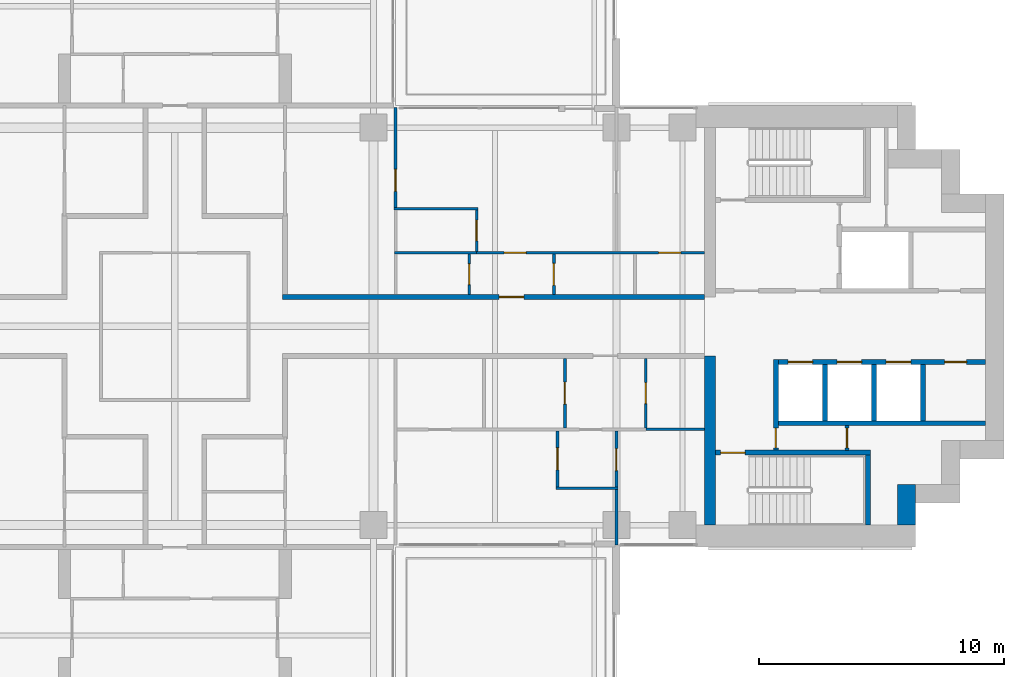
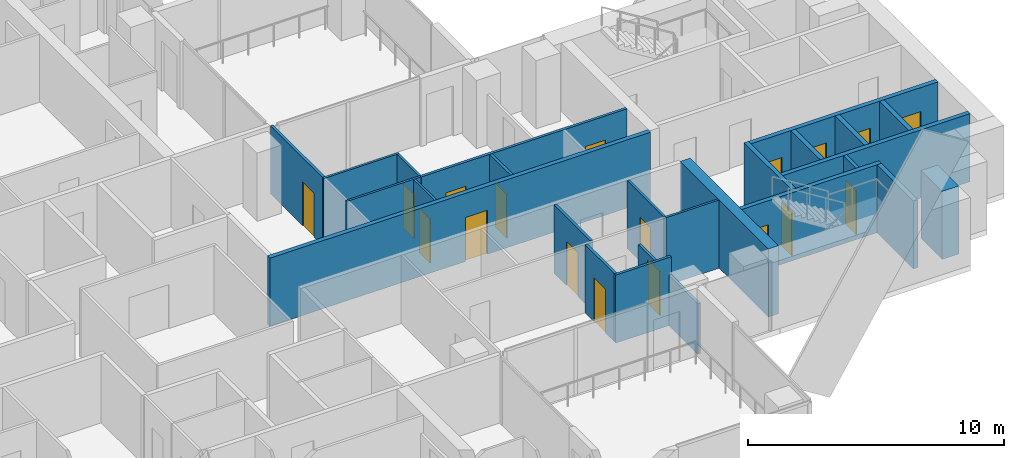
# One storey, part 12 of 19: 25 walls, 18 doors, 18 openings.
"""IFC4 building model written with IfcOpenShell, lengths in metres."""

from ifc_helpers import new_model, si_unit, direction, frame, frame_2d, origin, place, context, subcontext, project, spatial, rectangle, extrude, material, layer, layer_set, type_object, element, fill, save


model = new_model("IFC4")

# Units and contexts
model_context = context("Model", 3, precision=1e-05, world=origin(), true_north=direction((0.0, 1.0)))
body_context = subcontext(model_context, "Body", "Model", "MODEL_VIEW")
ifc_project = project(units=[si_unit("LENGTHUNIT", "METRE"), si_unit("AREAUNIT", "SQUARE_METRE"), si_unit("VOLUMEUNIT", "CUBIC_METRE"), si_unit("PLANEANGLEUNIT", "RADIAN"), si_unit("MASSUNIT", "GRAM", prefix="KILO")], contexts=[model_context])

# Site, building, storey
site_placement = place(None, origin())
site = spatial("IfcSite", under=ifc_project, at=site_placement, CompositionType="ELEMENT")
building_placement = place(site_placement, origin())
building = spatial("IfcBuilding", under=site, at=building_placement, Name="Perihelion Cross Residences", CompositionType="ELEMENT")
storey_placement = place(building_placement, frame((0.0, 0.0, 147.89990234375)))
storey = spatial("IfcBuildingStorey", under=building, at=storey_placement, Name="L36", CompositionType="ELEMENT", Elevation=147.89990234375)

# Wall, opening, door
ifc_material_1 = material(Name="Plasterboard partition")
ifc_layer_1 = layer(ifc_material_1, 0.199951171875)
ifc_layer_set_1 = layer_set([ifc_layer_1], Name="Apartment separation wall 200")
wall_type_1 = type_object("IfcWallType", Name="Apartment separation wall 200", PredefinedType="PARTITIONING", material=ifc_layer_set_1)
wall_1_placement = place(storey_placement, frame((4.39990234375, 1.199951171875, 0.0), z_axis=(0.0, 0.0, 1.0), x_axis=(1.0, 0.0, 0.0)))
wall_1 = element("IfcWall", 1, at=wall_1_placement, inside=storey, type_object=wall_type_1, Name="Partition L36 W005", PredefinedType="PARTITIONING", context=body_context, shape_type="SweptSolid", body=[
    extrude(rectangle(XDim=17.2001953125, YDim=0.199951171875, at=frame_2d((8.60009765625, 0.0))), origin(), (0.0, 0.0, 1.0), 3.25),
])
opening_1_placement = place(wall_1_placement, frame((8.824951171875, 0.0, 0.0)))
opening_1 = element("IfcOpeningElement", 2, at=opening_1_placement, cuts=wall_1, Name="Opening L36.A50", PredefinedType="OPENING", context=body_context, shape_type="SweptSolid", body=[
    extrude(rectangle(XDim=1.0, YDim=2.10009765625, at=frame_2d((0.5, 1.050048828125))), frame((0.0, 0.10986328125, 0.0), z_axis=(0.0, -1.0, 0.0), x_axis=(1.0, 0.0, 0.0)), (0.0, 0.0, 1.0), 0.219970703125),
])
ifc_material_2 = material(Name="Timber door leaf", Category="wood")
door_type_1 = type_object("IfcDoorType", Name="Flat entrance door 1000 x 2100", OperationType="SINGLE_SWING_LEFT", PredefinedType="DOOR", material=ifc_material_2)
door_1_placement = place(opening_1_placement, origin())
door_1 = element("IfcDoor", 3, at=door_1_placement, inside=storey, type_object=door_type_1, Name="Door L36.A50", OperationType="SINGLE_SWING_LEFT", OverallHeight=2.10009765625, OverallWidth=1.0, PredefinedType="DOOR", context=body_context, shape_type="SweptSolid", body=[
    extrude(rectangle(XDim=1.0, YDim=2.10009765625, at=frame_2d((0.5, 1.050048828125))), frame((0.0, 0.02490234375, 0.0), z_axis=(0.0, -1.0, 0.0), x_axis=(1.0, 0.0, 0.0)), (0.0, 0.0, 1.0), 0.050048828125),
])
fill(opening_1, door_1)

# Walls
ifc_material_3 = material(Name="Concrete C60/75", Category="concrete")
ifc_layer_2 = layer(ifc_material_3, 0.449951171875)
ifc_layer_set_2 = layer_set([ifc_layer_2], Name="Core wall, inner 450")
wall_type_2 = type_object("IfcWallType", Name="Core wall, inner 450", PredefinedType="SHEAR", material=ifc_layer_set_2)
wall_2_placement = place(storey_placement, frame((21.824951171875, -8.10009765625, 0.0), z_axis=(0.0, 0.0, 1.0), x_axis=(0.0, 1.0, 0.0)))
element("IfcWall", 4, at=wall_2_placement, inside=storey, type_object=wall_type_2, Name="East core core wall, inner", PredefinedType="SHEAR", context=body_context, shape_type="SweptSolid", body=[
    extrude(rectangle(XDim=6.900146484375, YDim=0.449951171875, at=frame_2d((3.4501953125, 0.0))), origin(), (0.0, 0.0, 1.0), 3.25),
])
ifc_material_4 = material(Name="Concrete C60/75", Category="concrete")
ifc_layer_3 = layer(ifc_material_4, 0.75)
ifc_layer_set_3 = layer_set([ifc_layer_3], Name="Core wall, outer 750")
wall_type_3 = type_object("IfcWallType", Name="Core wall, outer 750", PredefinedType="SHEAR", material=ifc_layer_set_3)
wall_3_placement = place(storey_placement, frame((29.824951171875, -8.10009765625, 0.0), z_axis=(0.0, 0.0, 1.0), x_axis=(0.0, 1.0, 0.0)))
element("IfcWall", 5, at=wall_3_placement, inside=storey, type_object=wall_type_3, Name="East core core wall, outer", PredefinedType="SHEAR", context=body_context, shape_type="SweptSolid", body=[
    extrude(rectangle(XDim=1.650146484375, YDim=0.75, at=frame_2d((0.8251953125, 0.0))), origin(), (0.0, 0.0, 1.0), 3.25),
])

# Wall, opening, door
ifc_material_5 = material(Name="Concrete C50/60", Category="concrete")
ifc_layer_4 = layer(ifc_material_5, 0.199951171875)
ifc_layer_set_4 = layer_set([ifc_layer_4], Name="Lobby wall 200")
wall_type_4 = type_object("IfcWallType", Name="Lobby wall 200", PredefinedType="SOLIDWALL", material=ifc_layer_set_4)
wall_4_placement = place(storey_placement, frame((24.5, -5.050048828125, 0.0), z_axis=(0.0, 0.0, 1.0), x_axis=(0.0, 1.0, 0.0)))
wall_4 = element("IfcWall", 6, at=wall_4_placement, inside=storey, type_object=wall_type_4, Name="East core lobby wall", PredefinedType="SOLIDWALL", context=body_context, shape_type="SweptSolid", body=[
    extrude(rectangle(XDim=3.699951171875, YDim=0.199951171875, at=frame_2d((1.85009765625, 0.0))), origin(), (0.0, 0.0, 1.0), 3.25),
])
opening_2_placement = place(wall_4_placement, frame((0.10009765625, 0.0, 0.0)))
opening_2 = element("IfcOpeningElement", 7, at=opening_2_placement, cuts=wall_4, Name="Opening L36.C08", PredefinedType="OPENING", context=body_context, shape_type="SweptSolid", body=[
    extrude(rectangle(XDim=0.800048828125, YDim=2.10009765625, at=frame_2d((0.39990234375, 1.050048828125))), frame((0.0, 0.10986328125, 0.0), z_axis=(0.0, -1.0, 0.0), x_axis=(1.0, 0.0, 0.0)), (0.0, 0.0, 1.0), 0.219970703125),
])
ifc_material_6 = material(Name="Steel, powder coated", Category="steel")
door_type_2 = type_object("IfcDoorType", Name="Riser door 800", OperationType="SINGLE_SWING_LEFT", PredefinedType="DOOR", material=ifc_material_6)
door_2_placement = place(opening_2_placement, origin())
door_2 = element("IfcDoor", 8, at=door_2_placement, inside=storey, type_object=door_type_2, Name="East core riser door", OperationType="SINGLE_SWING_LEFT", OverallHeight=2.10009765625, OverallWidth=0.800048828125, PredefinedType="DOOR", context=body_context, shape_type="SweptSolid", body=[
    extrude(rectangle(XDim=0.800048828125, YDim=2.10009765625, at=frame_2d((0.39990234375, 1.050048828125))), frame((0.0, 0.02490234375, 0.0), z_axis=(0.0, -1.0, 0.0), x_axis=(1.0, 0.0, 0.0)), (0.0, 0.0, 1.0), 0.050048828125),
])
fill(opening_2, door_2)

ifc_material_7 = material(Name="Plasterboard partition")
ifc_layer_5 = layer(ifc_material_7, 0.1201171875)
ifc_layer_set_5 = layer_set([ifc_layer_5], Name="Partition wall 120")
wall_type_5 = type_object("IfcWallType", Name="Partition wall 120", PredefinedType="PARTITIONING", material=ifc_layer_set_5)
wall_5_placement = place(storey_placement, frame((15.449951171875, 2.93994140625, 0.0), z_axis=(0.0, 0.0, 1.0), x_axis=(0.0, -1.0, 0.0)))
wall_5 = element("IfcWall", 9, at=wall_5_placement, inside=storey, type_object=wall_type_5, Name="Partition L36 W026", PredefinedType="PARTITIONING", context=body_context, shape_type="SweptSolid", body=[
    extrude(rectangle(XDim=1.639892578125, YDim=0.1201171875, at=frame_2d((0.81982421875, 0.0))), origin(), (0.0, 0.0, 1.0), 3.25),
])
opening_3_placement = place(wall_5_placement, frame((0.3701171875, 0.0, 0.0)))
opening_3 = element("IfcOpeningElement", 10, at=opening_3_placement, cuts=wall_5, Name="Opening L36.A05", PredefinedType="OPENING", context=body_context, shape_type="SweptSolid", body=[
    extrude(rectangle(XDim=0.89990234375, YDim=2.10009765625, at=frame_2d((0.449951171875, 1.050048828125))), frame((0.0, 0.070068359375, 0.0), z_axis=(0.0, -1.0, 0.0), x_axis=(1.0, 0.0, 0.0)), (0.0, 0.0, 1.0), 0.14013671875),
])
ifc_material_8 = material(Name="Timber door leaf", Category="wood")
door_type_3 = type_object("IfcDoorType", Name="Interior room door 900 x 2100", OperationType="SINGLE_SWING_LEFT", PredefinedType="DOOR", material=ifc_material_8)
door_3_placement = place(opening_3_placement, origin())
door_3 = element("IfcDoor", 11, at=door_3_placement, inside=storey, type_object=door_type_3, Name="Door L36.A05", OperationType="SINGLE_SWING_LEFT", OverallHeight=2.10009765625, OverallWidth=0.89990234375, PredefinedType="DOOR", context=body_context, shape_type="SweptSolid", body=[
    extrude(rectangle(XDim=0.89990234375, YDim=2.10009765625, at=frame_2d((0.449951171875, 1.050048828125))), frame((0.0, 0.02490234375, 0.0), z_axis=(0.0, -1.0, 0.0), x_axis=(1.0, 0.0, 0.0)), (0.0, 0.0, 1.0), 0.050048828125),
])
fill(opening_3, door_3)

# Wall, openings, doors
wall_6_placement = place(storey_placement, frame((12.300048828125, 3.0, 0.0), z_axis=(0.0, 0.0, 1.0), x_axis=(1.0, 0.0, 0.0)))
wall_6 = element("IfcWall", 12, at=wall_6_placement, inside=storey, type_object=wall_type_5, Name="Partition L36 W027", PredefinedType="PARTITIONING", context=body_context, shape_type="SweptSolid", body=[
    extrude(rectangle(XDim=9.300048828125, YDim=0.1201171875, at=frame_2d((4.64990234375, 0.0))), origin(), (0.0, 0.0, 1.0), 3.25),
])
opening_4_placement = place(wall_6_placement, frame((1.125, 0.0, 0.0)))
opening_4 = element("IfcOpeningElement", 13, at=opening_4_placement, cuts=wall_6, Name="Opening L36.A06", PredefinedType="OPENING", context=body_context, shape_type="SweptSolid", body=[
    extrude(rectangle(XDim=0.89990234375, YDim=2.10009765625, at=frame_2d((0.449951171875, 1.050048828125))), frame((0.0, 0.070068359375, 0.0), z_axis=(0.0, -1.0, 0.0), x_axis=(1.0, 0.0, 0.0)), (0.0, 0.0, 1.0), 0.14013671875),
])
opening_5_placement = place(wall_6_placement, frame((7.425048828125, 0.0, 0.0)))
opening_5 = element("IfcOpeningElement", 14, at=opening_5_placement, cuts=wall_6, Name="Opening L36.A09", PredefinedType="OPENING", context=body_context, shape_type="SweptSolid", body=[
    extrude(rectangle(XDim=0.89990234375, YDim=2.10009765625, at=frame_2d((0.449951171875, 1.050048828125))), frame((0.0, 0.070068359375, 0.0), z_axis=(0.0, -1.0, 0.0), x_axis=(1.0, 0.0, 0.0)), (0.0, 0.0, 1.0), 0.14013671875),
])
door_4_placement = place(opening_4_placement, origin())
door_4 = element("IfcDoor", 15, at=door_4_placement, inside=storey, type_object=door_type_3, Name="Door L36.A06", OperationType="SINGLE_SWING_RIGHT", OverallHeight=2.10009765625, OverallWidth=0.89990234375, PredefinedType="DOOR", context=body_context, shape_type="SweptSolid", body=[
    extrude(rectangle(XDim=0.89990234375, YDim=2.10009765625, at=frame_2d((0.449951171875, 1.050048828125))), frame((0.0, 0.02490234375, 0.0), z_axis=(0.0, -1.0, 0.0), x_axis=(1.0, 0.0, 0.0)), (0.0, 0.0, 1.0), 0.050048828125),
])
fill(opening_4, door_4)
door_5_placement = place(opening_5_placement, origin())
door_5 = element("IfcDoor", 16, at=door_5_placement, inside=storey, type_object=door_type_3, Name="Door L36.A09", OperationType="SINGLE_SWING_LEFT", OverallHeight=2.10009765625, OverallWidth=0.89990234375, PredefinedType="DOOR", context=body_context, shape_type="SweptSolid", body=[
    extrude(rectangle(XDim=0.89990234375, YDim=2.10009765625, at=frame_2d((0.449951171875, 1.050048828125))), frame((0.0, 0.02490234375, 0.0), z_axis=(0.0, -1.0, 0.0), x_axis=(1.0, 0.0, 0.0)), (0.0, 0.0, 1.0), 0.050048828125),
])
fill(opening_5, door_5)

# Wall, opening, door
wall_7_placement = place(storey_placement, frame((9.0, 4.800048828125, 0.0), z_axis=(0.0, 0.0, 1.0), x_axis=(0.0, 1.0, 0.0)))
wall_7 = element("IfcWall", 17, at=wall_7_placement, inside=storey, type_object=wall_type_5, Name="Partition L36 W032", PredefinedType="PARTITIONING", context=body_context, shape_type="SweptSolid", body=[
    extrude(rectangle(XDim=4.119873046875, YDim=0.1201171875, at=frame_2d((2.06005859375, 0.0))), origin(), (0.0, 0.0, 1.0), 3.25),
])
opening_6_placement = place(wall_7_placement, frame((0.699951171875, 0.0, 0.0)))
opening_6 = element("IfcOpeningElement", 18, at=opening_6_placement, cuts=wall_7, Name="Opening L36.A08", PredefinedType="OPENING", context=body_context, shape_type="SweptSolid", body=[
    extrude(rectangle(XDim=0.89990234375, YDim=2.10009765625, at=frame_2d((0.449951171875, 1.050048828125))), frame((0.0, 0.070068359375, 0.0), z_axis=(0.0, -1.0, 0.0), x_axis=(1.0, 0.0, 0.0)), (0.0, 0.0, 1.0), 0.14013671875),
])
door_6_placement = place(opening_6_placement, origin())
door_6 = element("IfcDoor", 19, at=door_6_placement, inside=storey, type_object=door_type_3, Name="Door L36.A08", OperationType="SINGLE_SWING_LEFT", OverallHeight=2.10009765625, OverallWidth=0.89990234375, PredefinedType="DOOR", context=body_context, shape_type="SweptSolid", body=[
    extrude(rectangle(XDim=0.89990234375, YDim=2.10009765625, at=frame_2d((0.449951171875, 1.050048828125))), frame((0.0, 0.02490234375, 0.0), z_axis=(0.0, -1.0, 0.0), x_axis=(1.0, 0.0, 0.0)), (0.0, 0.0, 1.0), 0.050048828125),
])
fill(opening_6, door_6)

wall_8_placement = place(storey_placement, frame((15.89990234375, -1.300048828125, 0.0), z_axis=(0.0, 0.0, 1.0), x_axis=(0.0, -1.0, 0.0)))
wall_8 = element("IfcWall", 20, at=wall_8_placement, inside=storey, type_object=wall_type_5, Name="Partition L36 W037", PredefinedType="PARTITIONING", context=body_context, shape_type="SweptSolid", body=[
    extrude(rectangle(XDim=2.83984375, YDim=0.1201171875, at=frame_2d((1.419921875, 0.0))), origin(), (0.0, 0.0, 1.0), 3.25),
])
opening_7_placement = place(wall_8_placement, frame((0.969970703125, 0.0, 0.0)))
opening_7 = element("IfcOpeningElement", 21, at=opening_7_placement, cuts=wall_8, Name="Opening L36.A13", PredefinedType="OPENING", context=body_context, shape_type="SweptSolid", body=[
    extrude(rectangle(XDim=0.89990234375, YDim=2.10009765625, at=frame_2d((0.449951171875, 1.050048828125))), frame((0.0, 0.070068359375, 0.0), z_axis=(0.0, -1.0, 0.0), x_axis=(1.0, 0.0, 0.0)), (0.0, 0.0, 1.0), 0.14013671875),
])
door_7_placement = place(opening_7_placement, origin())
door_7 = element("IfcDoor", 22, at=door_7_placement, inside=storey, type_object=door_type_3, Name="Door L36.A13", OperationType="SINGLE_SWING_RIGHT", OverallHeight=2.10009765625, OverallWidth=0.89990234375, PredefinedType="DOOR", context=body_context, shape_type="SweptSolid", body=[
    extrude(rectangle(XDim=0.89990234375, YDim=2.10009765625, at=frame_2d((0.449951171875, 1.050048828125))), frame((0.0, 0.02490234375, 0.0), z_axis=(0.0, -1.0, 0.0), x_axis=(1.0, 0.0, 0.0)), (0.0, 0.0, 1.0), 0.050048828125),
])
fill(opening_7, door_7)

wall_9_placement = place(storey_placement, frame((15.60009765625, -4.260009765625, 0.0), z_axis=(0.0, 0.0, 1.0), x_axis=(0.0, -1.0, 0.0)))
wall_9 = element("IfcWall", 23, at=wall_9_placement, inside=storey, type_object=wall_type_5, Name="Partition L36 W040", PredefinedType="PARTITIONING", context=body_context, shape_type="SweptSolid", body=[
    extrude(rectangle(XDim=2.280029296875, YDim=0.1201171875, at=frame_2d((1.14013671875, 0.0))), origin(), (0.0, 0.0, 1.0), 3.25),
])
opening_8_placement = place(wall_9_placement, frame((0.68994140625, 0.0, 0.0)))
opening_8 = element("IfcOpeningElement", 24, at=opening_8_placement, cuts=wall_9, Name="Opening L36.A15", PredefinedType="OPENING", context=body_context, shape_type="SweptSolid", body=[
    extrude(rectangle(XDim=0.89990234375, YDim=2.10009765625, at=frame_2d((0.449951171875, 1.050048828125))), frame((0.0, 0.070068359375, 0.0), z_axis=(0.0, -1.0, 0.0), x_axis=(1.0, 0.0, 0.0)), (0.0, 0.0, 1.0), 0.14013671875),
])
door_8_placement = place(opening_8_placement, origin())
door_8 = element("IfcDoor", 25, at=door_8_placement, inside=storey, type_object=door_type_3, Name="Door L36.A15", OperationType="SINGLE_SWING_LEFT", OverallHeight=2.10009765625, OverallWidth=0.89990234375, PredefinedType="DOOR", context=body_context, shape_type="SweptSolid", body=[
    extrude(rectangle(XDim=0.89990234375, YDim=2.10009765625, at=frame_2d((0.449951171875, 1.050048828125))), frame((0.0, 0.02490234375, 0.0), z_axis=(0.0, -1.0, 0.0), x_axis=(1.0, 0.0, 0.0)), (0.0, 0.0, 1.0), 0.050048828125),
])
fill(opening_8, door_8)

# Wall
wall_10_placement = place(storey_placement, frame((15.5400390625, -6.60009765625, 0.0), z_axis=(0.0, 0.0, 1.0), x_axis=(1.0, 0.0, 0.0)))
element("IfcWall", 26, at=wall_10_placement, inside=storey, type_object=wall_type_5, Name="Partition L36 W041", PredefinedType="PARTITIONING", context=body_context, shape_type="SweptSolid", body=[
    extrude(rectangle(XDim=2.52001953125, YDim=0.1201171875, at=frame_2d((1.260009765625, 0.0))), origin(), (0.0, 0.0, 1.0), 3.25),
])

# Wall, opening, door
wall_11_placement = place(storey_placement, frame((18.0, -4.260009765625, 0.0), z_axis=(0.0, 0.0, 1.0), x_axis=(0.0, -1.0, 0.0)))
wall_11 = element("IfcWall", 27, at=wall_11_placement, inside=storey, type_object=wall_type_5, Name="Partition L36 W042", PredefinedType="PARTITIONING", context=body_context, shape_type="SweptSolid", body=[
    extrude(rectangle(XDim=4.659912109375, YDim=0.1201171875, at=frame_2d((2.330078125, 0.0))), origin(), (0.0, 0.0, 1.0), 2.4140625),
])
opening_9_placement = place(wall_11_placement, frame((0.719970703125, 0.0, 0.0)))
opening_9 = element("IfcOpeningElement", 28, at=opening_9_placement, cuts=wall_11, Name="Opening L36.A16", PredefinedType="OPENING", context=body_context, shape_type="SweptSolid", body=[
    extrude(rectangle(XDim=0.89990234375, YDim=2.10009765625, at=frame_2d((0.449951171875, 1.050048828125))), frame((0.0, 0.070068359375, 0.0), z_axis=(0.0, -1.0, 0.0), x_axis=(1.0, 0.0, 0.0)), (0.0, 0.0, 1.0), 0.14013671875),
])
door_9_placement = place(opening_9_placement, origin())
door_9 = element("IfcDoor", 29, at=door_9_placement, inside=storey, type_object=door_type_3, Name="Door L36.A16", OperationType="SINGLE_SWING_LEFT", OverallHeight=2.10009765625, OverallWidth=0.89990234375, PredefinedType="DOOR", context=body_context, shape_type="SweptSolid", body=[
    extrude(rectangle(XDim=0.89990234375, YDim=2.10009765625, at=frame_2d((0.449951171875, 1.050048828125))), frame((0.0, 0.02490234375, 0.0), z_axis=(0.0, -1.0, 0.0), x_axis=(1.0, 0.0, 0.0)), (0.0, 0.0, 1.0), 0.050048828125),
])
fill(opening_9, door_9)

ifc_material_9 = material(Name="Fire-rated board on steel stud", Category="steel")
ifc_layer_6 = layer(ifc_material_9, 0.14990234375)
ifc_layer_set_6 = layer_set([ifc_layer_6], Name="Riser wall 150")
wall_type_6 = type_object("IfcWallType", Name="Riser wall 150", PredefinedType="PARTITIONING", material=ifc_layer_set_6)
wall_12_placement = place(storey_placement, frame((27.39990234375, -5.050048828125, 0.0), z_axis=(0.0, 0.0, 1.0), x_axis=(0.0, 1.0, 0.0)))
wall_12 = element("IfcWall", 30, at=wall_12_placement, inside=storey, type_object=wall_type_6, Name="East core riser wall", PredefinedType="PARTITIONING", context=body_context, shape_type="SweptSolid", body=[
    extrude(rectangle(XDim=1.0, YDim=0.14990234375, at=frame_2d((0.5, 0.0))), origin(), (0.0, 0.0, 1.0), 3.25),
])
opening_10_placement = place(wall_12_placement, frame((0.10009765625, 0.0, 0.0)))
opening_10 = element("IfcOpeningElement", 31, at=opening_10_placement, cuts=wall_12, Name="Opening L36.C11", PredefinedType="OPENING", context=body_context, shape_type="SweptSolid", body=[
    extrude(rectangle(XDim=0.800048828125, YDim=2.10009765625, at=frame_2d((0.39990234375, 1.050048828125))), frame((0.0, 0.0849609375, 0.0), z_axis=(0.0, -1.0, 0.0), x_axis=(1.0, 0.0, 0.0)), (0.0, 0.0, 1.0), 0.169921875),
])
door_10_placement = place(opening_10_placement, origin())
door_10 = element("IfcDoor", 32, at=door_10_placement, inside=storey, type_object=door_type_2, Name="East core riser door", OperationType="SINGLE_SWING_LEFT", OverallHeight=2.10009765625, OverallWidth=0.800048828125, PredefinedType="DOOR", context=body_context, shape_type="SweptSolid", body=[
    extrude(rectangle(XDim=0.800048828125, YDim=2.10009765625, at=frame_2d((0.39990234375, 1.050048828125))), frame((0.0, 0.02490234375, 0.0), z_axis=(0.0, -1.0, 0.0), x_axis=(1.0, 0.0, 0.0)), (0.0, 0.0, 1.0), 0.050048828125),
])
fill(opening_10, door_10)

# Wall, openings, doors
ifc_material_10 = material(Name="Concrete C50/60", Category="concrete")
ifc_layer_7 = layer(ifc_material_10, 0.199951171875)
ifc_layer_set_7 = layer_set([ifc_layer_7], Name="Shaft wall 200")
wall_type_7 = type_object("IfcWallType", Name="Shaft wall 200", PredefinedType="SOLIDWALL", material=ifc_layer_set_7)
wall_13_placement = place(storey_placement, frame((24.60009765625, -1.449951171875, 0.0), z_axis=(0.0, 0.0, 1.0), x_axis=(1.0, 0.0, 0.0)))
wall_13 = element("IfcWall", 33, at=wall_13_placement, inside=storey, type_object=wall_type_7, Name="East core shaft wall", PredefinedType="SOLIDWALL", context=body_context, shape_type="SweptSolid", body=[
    extrude(rectangle(XDim=8.449951171875, YDim=0.199951171875, at=frame_2d((4.22509765625, 0.0))), origin(), (0.0, 0.0, 1.0), 3.25),
])
opening_11_placement = place(wall_13_placement, frame((0.39990234375, 0.0, 0.0)))
opening_11 = element("IfcOpeningElement", 34, at=opening_11_placement, cuts=wall_13, Name="Opening L36.C01", PredefinedType="OPENING", context=body_context, shape_type="SweptSolid", body=[
    extrude(rectangle(XDim=1.0, YDim=2.10009765625, at=frame_2d((0.5, 1.050048828125))), frame((0.0, 0.10986328125, 0.0), z_axis=(0.0, -1.0, 0.0), x_axis=(1.0, 0.0, 0.0)), (0.0, 0.0, 1.0), 0.219970703125),
])
opening_12_placement = place(wall_13_placement, frame((2.39990234375, 0.0, 0.0)))
opening_12 = element("IfcOpeningElement", 35, at=opening_12_placement, cuts=wall_13, Name="Opening L36.C03", PredefinedType="OPENING", context=body_context, shape_type="SweptSolid", body=[
    extrude(rectangle(XDim=1.0, YDim=2.10009765625, at=frame_2d((0.5, 1.050048828125))), frame((0.0, 0.10986328125, 0.0), z_axis=(0.0, -1.0, 0.0), x_axis=(1.0, 0.0, 0.0)), (0.0, 0.0, 1.0), 0.219970703125),
])
opening_13_placement = place(wall_13_placement, frame((4.39990234375, 0.0, 0.0)))
opening_13 = element("IfcOpeningElement", 36, at=opening_13_placement, cuts=wall_13, Name="Opening L36.C04", PredefinedType="OPENING", context=body_context, shape_type="SweptSolid", body=[
    extrude(rectangle(XDim=1.0, YDim=2.10009765625, at=frame_2d((0.5, 1.050048828125))), frame((0.0, 0.10986328125, 0.0), z_axis=(0.0, -1.0, 0.0), x_axis=(1.0, 0.0, 0.0)), (0.0, 0.0, 1.0), 0.219970703125),
])
opening_14_placement = place(wall_13_placement, frame((6.77490234375, 0.0, 0.0)))
opening_14 = element("IfcOpeningElement", 37, at=opening_14_placement, cuts=wall_13, Name="Opening L36.C14", PredefinedType="OPENING", context=body_context, shape_type="SweptSolid", body=[
    extrude(rectangle(XDim=0.89990234375, YDim=2.10009765625, at=frame_2d((0.449951171875, 1.050048828125))), frame((0.0, 0.10986328125, 0.0), z_axis=(0.0, -1.0, 0.0), x_axis=(1.0, 0.0, 0.0)), (0.0, 0.0, 1.0), 0.219970703125),
])
ifc_material_11 = material(Name="Stainless steel", Category="steel")
door_type_4 = type_object("IfcDoorType", Name="Landing door 1000", OperationType="DOUBLE_DOOR_SLIDING", PredefinedType="DOOR", material=ifc_material_11)
door_11_placement = place(opening_11_placement, origin())
door_11 = element("IfcDoor", 38, at=door_11_placement, inside=storey, type_object=door_type_4, Name="Landing door, East core high-rise lift 1", OperationType="DOUBLE_DOOR_SLIDING", OverallHeight=2.10009765625, OverallWidth=1.0, PredefinedType="DOOR", context=body_context, shape_type="SweptSolid", body=[
    extrude(rectangle(XDim=1.0, YDim=2.10009765625, at=frame_2d((0.5, 1.050048828125))), frame((0.0, 0.02490234375, 0.0), z_axis=(0.0, -1.0, 0.0), x_axis=(1.0, 0.0, 0.0)), (0.0, 0.0, 1.0), 0.050048828125),
])
fill(opening_11, door_11)
door_12_placement = place(opening_12_placement, origin())
door_12 = element("IfcDoor", 39, at=door_12_placement, inside=storey, type_object=door_type_4, Name="Landing door, East core high-rise lift 2", OperationType="DOUBLE_DOOR_SLIDING", OverallHeight=2.10009765625, OverallWidth=1.0, PredefinedType="DOOR", context=body_context, shape_type="SweptSolid", body=[
    extrude(rectangle(XDim=1.0, YDim=2.10009765625, at=frame_2d((0.5, 1.050048828125))), frame((0.0, 0.02490234375, 0.0), z_axis=(0.0, -1.0, 0.0), x_axis=(1.0, 0.0, 0.0)), (0.0, 0.0, 1.0), 0.050048828125),
])
fill(opening_12, door_12)
door_13_placement = place(opening_13_placement, origin())
door_13 = element("IfcDoor", 40, at=door_13_placement, inside=storey, type_object=door_type_4, Name="Landing door, East core high-rise lift 3", OperationType="DOUBLE_DOOR_SLIDING", OverallHeight=2.10009765625, OverallWidth=1.0, PredefinedType="DOOR", context=body_context, shape_type="SweptSolid", body=[
    extrude(rectangle(XDim=1.0, YDim=2.10009765625, at=frame_2d((0.5, 1.050048828125))), frame((0.0, 0.02490234375, 0.0), z_axis=(0.0, -1.0, 0.0), x_axis=(1.0, 0.0, 0.0)), (0.0, 0.0, 1.0), 0.050048828125),
])
fill(opening_13, door_13)
ifc_material_12 = material(Name="Steel, powder coated", Category="steel")
door_type_5 = type_object("IfcDoorType", Name="Service room door 900", OperationType="SINGLE_SWING_LEFT", PredefinedType="DOOR", material=ifc_material_12)
door_14_placement = place(opening_14_placement, origin())
door_14 = element("IfcDoor", 41, at=door_14_placement, inside=storey, type_object=door_type_5, Name="East core service room door", OperationType="SINGLE_SWING_LEFT", OverallHeight=2.10009765625, OverallWidth=0.89990234375, PredefinedType="DOOR", context=body_context, shape_type="SweptSolid", body=[
    extrude(rectangle(XDim=0.89990234375, YDim=2.10009765625, at=frame_2d((0.449951171875, 1.050048828125))), frame((0.0, 0.02490234375, 0.0), z_axis=(0.0, -1.0, 0.0), x_axis=(1.0, 0.0, 0.0)), (0.0, 0.0, 1.0), 0.050048828125),
])
fill(opening_14, door_14)

# Walls
wall_14_placement = place(storey_placement, frame((24.60009765625, -3.949951171875, 0.0), z_axis=(0.0, 0.0, 1.0), x_axis=(1.0, 0.0, 0.0)))
element("IfcWall", 42, at=wall_14_placement, inside=storey, type_object=wall_type_7, Name="East core shaft wall", PredefinedType="SOLIDWALL", context=body_context, shape_type="SweptSolid", body=[
    extrude(rectangle(XDim=8.449951171875, YDim=0.199951171875, at=frame_2d((4.22509765625, 0.0))), origin(), (0.0, 0.0, 1.0), 3.25),
])
for number, where, z_axis, x_axis, name in (
    (43, (26.5, -3.85009765625, 0.0), (0.0, 0.0, 1.0), (0.0, 1.0, 0.0), "East core shaft wall"),
    (44, (28.5, -3.85009765625, 0.0), (0.0, 0.0, 1.0), (0.0, 1.0, 0.0), "East core shaft wall"),
    (45, (30.5, -3.85009765625, 0.0), (0.0, 0.0, 1.0), (0.0, 1.0, 0.0), "East core shaft wall"),
):
    element("IfcWall", number, at=place(storey_placement, frame(where, z_axis=z_axis, x_axis=x_axis)), inside=storey, type_object=wall_type_7, Name=name, PredefinedType="SOLIDWALL", context=body_context, shape_type="SweptSolid", body=[
        extrude(rectangle(XDim=2.300048828125, YDim=0.199951171875, at=frame_2d((1.14990234375, 0.0))), origin(), (0.0, 0.0, 1.0), 3.25),
    ])

# Wall, opening, door
ifc_material_13 = material(Name="Concrete C50/60", Category="concrete")
ifc_layer_8 = layer(ifc_material_13, 0.199951171875)
ifc_layer_set_8 = layer_set([ifc_layer_8], Name="Stair wall 200")
wall_type_8 = type_object("IfcWallType", Name="Stair wall 200", PredefinedType="SOLIDWALL", material=ifc_layer_set_8)
wall_15_placement = place(storey_placement, frame((22.050048828125, -5.14990234375, 0.0), z_axis=(0.0, 0.0, 1.0), x_axis=(1.0, 0.0, 0.0)))
wall_15 = element("IfcWall", 46, at=wall_15_placement, inside=storey, type_object=wall_type_8, Name="East core stair wall", PredefinedType="SOLIDWALL", context=body_context, shape_type="SweptSolid", body=[
    extrude(rectangle(XDim=6.300048828125, YDim=0.199951171875, at=frame_2d((3.14990234375, 0.0))), origin(), (0.0, 0.0, 1.0), 3.25),
])
opening_15_placement = place(wall_15_placement, frame((0.199951171875, 0.0, 0.0)))
opening_15 = element("IfcOpeningElement", 47, at=opening_15_placement, cuts=wall_15, Name="Opening L36.C05", PredefinedType="OPENING", context=body_context, shape_type="SweptSolid", body=[
    extrude(rectangle(XDim=1.0, YDim=2.10009765625, at=frame_2d((0.5, 1.050048828125))), frame((0.0, 0.10986328125, 0.0), z_axis=(0.0, -1.0, 0.0), x_axis=(1.0, 0.0, 0.0)), (0.0, 0.0, 1.0), 0.219970703125),
])
ifc_material_14 = material(Name="Steel, powder coated", Category="steel")
door_type_6 = type_object("IfcDoorType", Name="Stair door 1000", OperationType="SINGLE_SWING_LEFT", PredefinedType="DOOR", material=ifc_material_14)
door_15_placement = place(opening_15_placement, origin())
door_15 = element("IfcDoor", 48, at=door_15_placement, inside=storey, type_object=door_type_6, Name="East core stair door", OperationType="SINGLE_SWING_LEFT", OverallHeight=2.10009765625, OverallWidth=1.0, PredefinedType="DOOR", context=body_context, shape_type="SweptSolid", body=[
    extrude(rectangle(XDim=1.0, YDim=2.10009765625, at=frame_2d((0.5, 1.050048828125))), frame((0.0, 0.02490234375, 0.0), z_axis=(0.0, -1.0, 0.0), x_axis=(1.0, 0.0, 0.0)), (0.0, 0.0, 1.0), 0.050048828125),
])
fill(opening_15, door_15)

# Wall
wall_16_placement = place(storey_placement, frame((28.25, -8.10009765625, 0.0), z_axis=(0.0, 0.0, 1.0), x_axis=(0.0, 1.0, 0.0)))
element("IfcWall", 49, at=wall_16_placement, inside=storey, type_object=wall_type_8, Name="East core stair wall", PredefinedType="SOLIDWALL", context=body_context, shape_type="SweptSolid", body=[
    extrude(rectangle(XDim=2.85009765625, YDim=0.199951171875, at=frame_2d((1.425048828125, 0.0))), origin(), (0.0, 0.0, 1.0), 3.25),
])

# Wall, opening, door
ifc_material_15 = material(Name="Plasterboard partition")
ifc_layer_9 = layer(ifc_material_15, 0.10009765625)
ifc_layer_set_9 = layer_set([ifc_layer_9], Name="Wet room wall 100")
wall_type_9 = type_object("IfcWallType", Name="Wet room wall 100", PredefinedType="PARTITIONING", material=ifc_layer_set_9)
wall_17_placement = place(storey_placement, frame((12.0, 2.949951171875, 0.0), z_axis=(0.0, 0.0, 1.0), x_axis=(0.0, -1.0, 0.0)))
wall_17 = element("IfcWall", 50, at=wall_17_placement, inside=storey, type_object=wall_type_9, Name="Partition L36 W023", PredefinedType="PARTITIONING", context=body_context, shape_type="SweptSolid", body=[
    extrude(rectangle(XDim=1.64990234375, YDim=0.10009765625, at=frame_2d((0.824951171875, 0.0))), origin(), (0.0, 0.0, 1.0), 3.25),
])
opening_16_placement = place(wall_17_placement, frame((0.39990234375, 0.0, 0.0)))
opening_16 = element("IfcOpeningElement", 51, at=opening_16_placement, cuts=wall_17, Name="Opening L36.A04", PredefinedType="OPENING", context=body_context, shape_type="SweptSolid", body=[
    extrude(rectangle(XDim=0.85009765625, YDim=2.10009765625, at=frame_2d((0.425048828125, 1.050048828125))), frame((0.0, 0.06005859375, 0.0), z_axis=(0.0, -1.0, 0.0), x_axis=(1.0, 0.0, 0.0)), (0.0, 0.0, 1.0), 0.1201171875),
])
ifc_material_16 = material(Name="Timber door leaf", Category="wood")
door_type_7 = type_object("IfcDoorType", Name="Interior bathroom door 850 x 2100", OperationType="SINGLE_SWING_LEFT", PredefinedType="DOOR", material=ifc_material_16)
door_16_placement = place(opening_16_placement, origin())
door_16 = element("IfcDoor", 52, at=door_16_placement, inside=storey, type_object=door_type_7, Name="Door L36.A04", OperationType="SINGLE_SWING_LEFT", OverallHeight=2.10009765625, OverallWidth=0.85009765625, PredefinedType="DOOR", context=body_context, shape_type="SweptSolid", body=[
    extrude(rectangle(XDim=0.85009765625, YDim=2.10009765625, at=frame_2d((0.425048828125, 1.050048828125))), frame((0.0, 0.02490234375, 0.0), z_axis=(0.0, -1.0, 0.0), x_axis=(1.0, 0.0, 0.0)), (0.0, 0.0, 1.0), 0.050048828125),
])
fill(opening_16, door_16)

# Wall
wall_18_placement = place(storey_placement, frame((8.949951171875, 3.0, 0.0), z_axis=(0.0, 0.0, 1.0), x_axis=(1.0, 0.0, 0.0)))
element("IfcWall", 53, at=wall_18_placement, inside=storey, type_object=wall_type_9, Name="Partition L36 W024", PredefinedType="PARTITIONING", context=body_context, shape_type="SweptSolid", body=[
    extrude(rectangle(XDim=3.35009765625, YDim=0.10009765625, at=frame_2d((1.675048828125, 0.0))), origin(), (0.0, 0.0, 1.0), 3.25),
])

# Wall, opening, door
wall_19_placement = place(storey_placement, frame((12.300048828125, 3.06005859375, 0.0), z_axis=(0.0, 0.0, 1.0), x_axis=(0.0, 1.0, 0.0)))
wall_19 = element("IfcWall", 54, at=wall_19_placement, inside=storey, type_object=wall_type_9, Name="Partition L36 W029", PredefinedType="PARTITIONING", context=body_context, shape_type="SweptSolid", body=[
    extrude(rectangle(XDim=1.68994140625, YDim=0.10009765625, at=frame_2d((0.844970703125, 0.0))), origin(), (0.0, 0.0, 1.0), 3.25),
])
opening_17_placement = place(wall_19_placement, frame((0.419921875, 0.0, 0.0)))
opening_17 = element("IfcOpeningElement", 55, at=opening_17_placement, cuts=wall_19, Name="Opening L36.A07", PredefinedType="OPENING", context=body_context, shape_type="SweptSolid", body=[
    extrude(rectangle(XDim=0.85009765625, YDim=2.10009765625, at=frame_2d((0.425048828125, 1.050048828125))), frame((0.0, 0.06005859375, 0.0), z_axis=(0.0, -1.0, 0.0), x_axis=(1.0, 0.0, 0.0)), (0.0, 0.0, 1.0), 0.1201171875),
])
door_17_placement = place(opening_17_placement, origin())
door_17 = element("IfcDoor", 56, at=door_17_placement, inside=storey, type_object=door_type_7, Name="Door L36.A07", OperationType="SINGLE_SWING_LEFT", OverallHeight=2.10009765625, OverallWidth=0.85009765625, PredefinedType="DOOR", context=body_context, shape_type="SweptSolid", body=[
    extrude(rectangle(XDim=0.85009765625, YDim=2.10009765625, at=frame_2d((0.425048828125, 1.050048828125))), frame((0.0, 0.02490234375, 0.0), z_axis=(0.0, -1.0, 0.0), x_axis=(1.0, 0.0, 0.0)), (0.0, 0.0, 1.0), 0.050048828125),
])
fill(opening_17, door_17)

# Wall
wall_20_placement = place(storey_placement, frame((12.35009765625, 4.800048828125, 0.0), z_axis=(0.0, 0.0, 1.0), x_axis=(-1.0, 0.0, 0.0)))
element("IfcWall", 57, at=wall_20_placement, inside=storey, type_object=wall_type_9, Name="Partition L36 W030", PredefinedType="PARTITIONING", context=body_context, shape_type="SweptSolid", body=[
    extrude(rectangle(XDim=3.41015625, YDim=0.10009765625, at=frame_2d((1.705078125, 0.0))), origin(), (0.0, 0.0, 1.0), 3.25),
])

# Wall, opening, door
wall_21_placement = place(storey_placement, frame((19.199951171875, -1.300048828125, 0.0), z_axis=(0.0, 0.0, 1.0), x_axis=(0.0, -1.0, 0.0)))
wall_21 = element("IfcWall", 58, at=wall_21_placement, inside=storey, type_object=wall_type_9, Name="Partition L36 W038", PredefinedType="PARTITIONING", context=body_context, shape_type="SweptSolid", body=[
    extrude(rectangle(XDim=2.83984375, YDim=0.10009765625, at=frame_2d((1.419921875, 0.0))), origin(), (0.0, 0.0, 1.0), 3.25),
])
opening_18_placement = place(wall_21_placement, frame((0.9951171875, 0.0, 0.0)))
opening_18 = element("IfcOpeningElement", 59, at=opening_18_placement, cuts=wall_21, Name="Opening L36.A11", PredefinedType="OPENING", context=body_context, shape_type="SweptSolid", body=[
    extrude(rectangle(XDim=0.85009765625, YDim=2.10009765625, at=frame_2d((0.425048828125, 1.050048828125))), frame((0.0, 0.06005859375, 0.0), z_axis=(0.0, -1.0, 0.0), x_axis=(1.0, 0.0, 0.0)), (0.0, 0.0, 1.0), 0.1201171875),
])
door_18_placement = place(opening_18_placement, origin())
door_18 = element("IfcDoor", 60, at=door_18_placement, inside=storey, type_object=door_type_7, Name="Door L36.A11", OperationType="SINGLE_SWING_RIGHT", OverallHeight=2.10009765625, OverallWidth=0.85009765625, PredefinedType="DOOR", context=body_context, shape_type="SweptSolid", body=[
    extrude(rectangle(XDim=0.85009765625, YDim=2.10009765625, at=frame_2d((0.425048828125, 1.050048828125))), frame((0.0, 0.02490234375, 0.0), z_axis=(0.0, -1.0, 0.0), x_axis=(1.0, 0.0, 0.0)), (0.0, 0.0, 1.0), 0.050048828125),
])
fill(opening_18, door_18)

# Wall
wall_22_placement = place(storey_placement, frame((21.60009765625, -4.199951171875, 0.0), z_axis=(0.0, 0.0, 1.0), x_axis=(-1.0, 0.0, 0.0)))
element("IfcWall", 61, at=wall_22_placement, inside=storey, type_object=wall_type_9, Name="Partition L36 W039", PredefinedType="PARTITIONING", context=body_context, shape_type="SweptSolid", body=[
    extrude(rectangle(XDim=2.400146484375, YDim=0.10009765625, at=frame_2d((1.2001953125, 0.0))), origin(), (0.0, 0.0, 1.0), 3.25),
])

save(model, "model.ifc")
